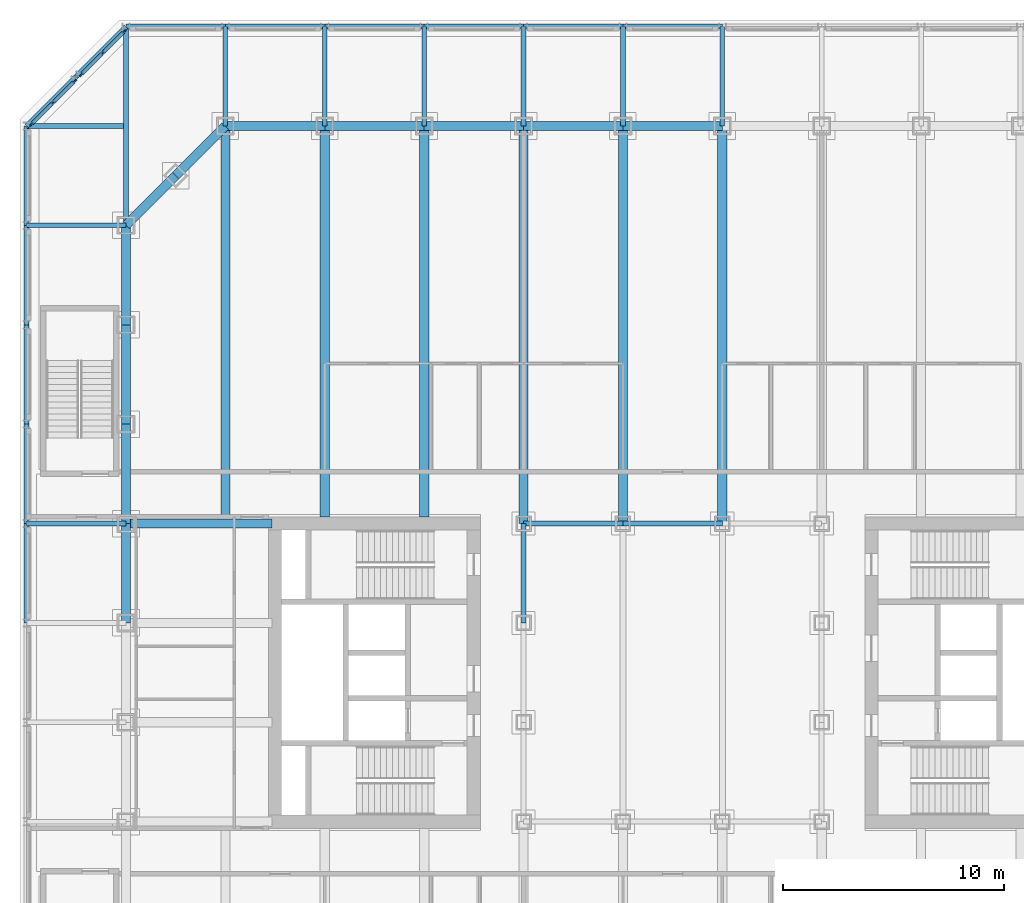
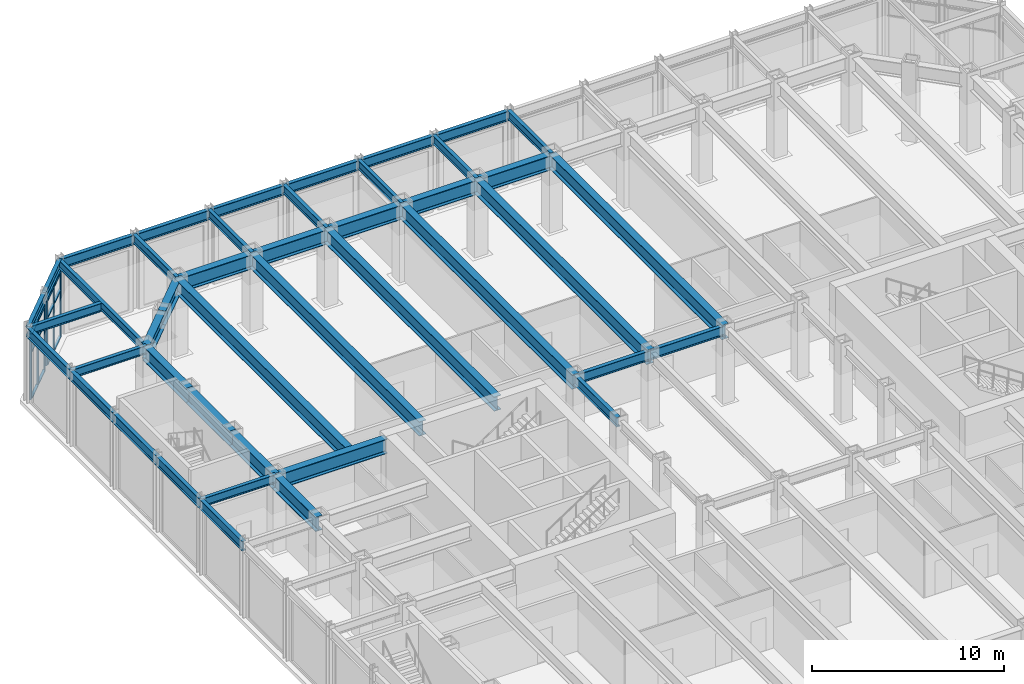
# One storey, part 7 of 19: 44 beams, 18 members, 2 elements without a shape of their own.
"""IFC4 building model written with IfcOpenShell, lengths in metres."""

from ifc_helpers import new_model, si_unit, direction, frame, origin, origin_2d, place, context, subcontext, project, spatial, rectangle, i_section, extrude, material, material_profile, profile_set, type_object, element, aggregate, save


model = new_model("IFC4")

# Units and contexts
model_context = context("Model", 3, precision=1e-05, world=origin(), true_north=direction((0.0, 1.0)))
body_context = subcontext(model_context, "Body", "Model", "MODEL_VIEW")
ifc_project = project(units=[si_unit("LENGTHUNIT", "METRE"), si_unit("AREAUNIT", "SQUARE_METRE"), si_unit("VOLUMEUNIT", "CUBIC_METRE"), si_unit("PLANEANGLEUNIT", "RADIAN"), si_unit("MASSUNIT", "GRAM", prefix="KILO")], contexts=[model_context])

# Site, building, storey
site_placement = place(None, origin())
site = spatial("IfcSite", under=ifc_project, at=site_placement, CompositionType="ELEMENT")
building_placement = place(site_placement, origin())
building = spatial("IfcBuilding", under=site, at=building_placement, Name="Msasa Ring Tower", CompositionType="ELEMENT")
storey_placement = place(building_placement, frame((0.0, 0.0, 6.0)))
storey = spatial("IfcBuildingStorey", under=building, at=storey_placement, Name="L01", CompositionType="ELEMENT", Elevation=6.0)

# Curtain wall, members
ifc_material_1 = material(Name="Aluminium curtain wall with clear glass", Category="aluminium")
curtain_wall_type = type_object("IfcCurtainWallType", Name="CW-K PODIUM CORNER CURTAIN WALL", PredefinedType="NOTDEFINED", material=ifc_material_1)
curtain_wall_1_placement = place(storey_placement, origin())
curtain_wall_1 = element("IfcCurtainWall", 1, at=curtain_wall_1_placement, inside=storey, type_object=curtain_wall_type, Name="Podium corner curtain wall NW L01", PredefinedType="NOTDEFINED")
ifc_material_2 = material(Name="Aluminium mullion", Category="aluminium")
ifc_material_profile_1 = material_profile(ifc_material_2, rectangle(XDim=0.070068359375, YDim=0.199951171875, at=origin_2d()), Name="AL 70x200")
ifc_profile_set_1 = profile_set([ifc_material_profile_1], Name="Aluminium mullion")
member_type_1 = type_object("IfcMemberType", Name="CW-K MULLION 70x200", PredefinedType="MULLION", material=ifc_profile_set_1)
member_1_placement = place(storey_placement, frame((-27.086669921875, 26.77197265625, 0.0), z_axis=(0.0, 0.0, 1.0), x_axis=(0.707106781187, -0.707106781187, 0.0)))
member_1 = element("IfcMember", 2, at=member_1_placement, type_object=member_type_1, Name="CW-K mullion 1", PredefinedType="MULLION", context=body_context, shape_type="SweptSolid", body=[
    extrude(rectangle(XDim=0.070068359375, YDim=0.199951171875, at=origin_2d()), origin(), (0.0, 0.0, 1.0), 4.1328125),
])
member_2_placement = place(storey_placement, frame((-28.05419921875, 25.80419921875, 0.0), z_axis=(0.0, 0.0, 1.0), x_axis=(0.707106781187, -0.707106781187, 0.0)))
member_2 = element("IfcMember", 3, at=member_2_placement, type_object=member_type_1, Name="CW-K mullion 2", PredefinedType="MULLION", context=body_context, shape_type="SweptSolid", body=[
    extrude(rectangle(XDim=0.070068359375, YDim=0.199951171875, at=origin_2d()), origin(), (0.0, 0.0, 1.0), 4.1328125),
])
member_3_placement = place(storey_placement, frame((-29.02197265625, 24.836669921875, 0.0), z_axis=(0.0, 0.0, 1.0), x_axis=(0.707106781187, -0.707106781187, 0.0)))
member_3 = element("IfcMember", 4, at=member_3_placement, type_object=member_type_1, Name="CW-K mullion 3", PredefinedType="MULLION", context=body_context, shape_type="SweptSolid", body=[
    extrude(rectangle(XDim=0.070068359375, YDim=0.199951171875, at=origin_2d()), origin(), (0.0, 0.0, 1.0), 4.1328125),
])

curtain_wall_2_placement = place(storey_placement, origin())
curtain_wall_2 = element("IfcCurtainWall", 5, at=curtain_wall_2_placement, inside=storey, type_object=curtain_wall_type, Name="Podium corner curtain wall NW L01", PredefinedType="NOTDEFINED")
member_4_placement = place(storey_placement, frame((-24.836669921875, 29.02197265625, 0.0), z_axis=(0.0, 0.0, 1.0), x_axis=(0.707106781187, -0.707106781187, 0.0)))
member_4 = element("IfcMember", 6, at=member_4_placement, type_object=member_type_1, Name="CW-K mullion 1", PredefinedType="MULLION", context=body_context, shape_type="SweptSolid", body=[
    extrude(rectangle(XDim=0.070068359375, YDim=0.199951171875, at=origin_2d()), origin(), (0.0, 0.0, 1.0), 4.1328125),
])
member_5_placement = place(storey_placement, frame((-25.80419921875, 28.05419921875, 0.0), z_axis=(0.0, 0.0, 1.0), x_axis=(0.707106781187, -0.707106781187, 0.0)))
member_5 = element("IfcMember", 7, at=member_5_placement, type_object=member_type_1, Name="CW-K mullion 2", PredefinedType="MULLION", context=body_context, shape_type="SweptSolid", body=[
    extrude(rectangle(XDim=0.070068359375, YDim=0.199951171875, at=origin_2d()), origin(), (0.0, 0.0, 1.0), 4.1328125),
])
member_6_placement = place(storey_placement, frame((-26.77197265625, 27.086669921875, 0.0), z_axis=(0.0, 0.0, 1.0), x_axis=(0.707106781187, -0.707106781187, 0.0)))
member_6 = element("IfcMember", 8, at=member_6_placement, type_object=member_type_1, Name="CW-K mullion 3", PredefinedType="MULLION", context=body_context, shape_type="SweptSolid", body=[
    extrude(rectangle(XDim=0.070068359375, YDim=0.199951171875, at=origin_2d()), origin(), (0.0, 0.0, 1.0), 4.1328125),
])

# Member
ifc_material_3 = material(Name="Aluminium transom", Category="aluminium")
ifc_material_profile_2 = material_profile(ifc_material_3, rectangle(XDim=0.14990234375, YDim=0.070068359375, at=origin_2d()), Name="AL 70x150")
ifc_profile_set_2 = profile_set([ifc_material_profile_2], Name="Aluminium transom")
member_type_2 = type_object("IfcMemberType", Name="CW-K TRANSOM 70x150", PredefinedType="USERDEFINED", material=ifc_profile_set_2)
member_7_placement = place(storey_placement, frame((-27.111572265625, 26.7470703125, 0.034912109375), z_axis=(-0.707106781187, -0.707106781187, 0.0), x_axis=(0.707106781187, -0.707106781187, 0.0)))
member_7 = element("IfcMember", 9, at=member_7_placement, type_object=member_type_2, Name="CW-K transom 1.1", ObjectType="TRANSOM", PredefinedType="USERDEFINED", context=body_context, shape_type="SweptSolid", body=[
    extrude(rectangle(XDim=0.14990234375, YDim=0.070068359375, at=origin_2d()), origin(), (0.0, 0.0, 1.0), 1.298095703125),
])

member_8_placement = place(storey_placement, frame((-27.111572265625, 26.7470703125, 3.0), z_axis=(-0.707106781187, -0.707106781187, 0.0), x_axis=(0.707106781187, -0.707106781187, 0.0)))
member_8 = element("IfcMember", 10, at=member_8_placement, type_object=member_type_2, Name="CW-K transom 1.2", ObjectType="TRANSOM", PredefinedType="USERDEFINED", context=body_context, shape_type="SweptSolid", body=[
    extrude(rectangle(XDim=0.14990234375, YDim=0.070068359375, at=origin_2d()), origin(), (0.0, 0.0, 1.0), 1.298095703125),
])

member_9_placement = place(storey_placement, frame((-27.111572265625, 26.7470703125, 4.097900390625), z_axis=(-0.707106781187, -0.707106781187, 0.0), x_axis=(0.707106781187, -0.707106781187, 0.0)))
member_9 = element("IfcMember", 11, at=member_9_placement, type_object=member_type_2, Name="CW-K transom 1.3", ObjectType="TRANSOM", PredefinedType="USERDEFINED", context=body_context, shape_type="SweptSolid", body=[
    extrude(rectangle(XDim=0.14990234375, YDim=0.070068359375, at=origin_2d()), origin(), (0.0, 0.0, 1.0), 1.298095703125),
])

member_10_placement = place(storey_placement, frame((-28.0791015625, 25.779541015625, 0.034912109375), z_axis=(-0.707106781187, -0.707106781187, 0.0), x_axis=(0.707106781187, -0.707106781187, 0.0)))
member_10 = element("IfcMember", 12, at=member_10_placement, type_object=member_type_2, Name="CW-K transom 2.1", ObjectType="TRANSOM", PredefinedType="USERDEFINED", context=body_context, shape_type="SweptSolid", body=[
    extrude(rectangle(XDim=0.14990234375, YDim=0.070068359375, at=origin_2d()), origin(), (0.0, 0.0, 1.0), 1.298095703125),
])

member_11_placement = place(storey_placement, frame((-28.0791015625, 25.779541015625, 3.0), z_axis=(-0.707106781187, -0.707106781187, 0.0), x_axis=(0.707106781187, -0.707106781187, 0.0)))
member_11 = element("IfcMember", 13, at=member_11_placement, type_object=member_type_2, Name="CW-K transom 2.2", ObjectType="TRANSOM", PredefinedType="USERDEFINED", context=body_context, shape_type="SweptSolid", body=[
    extrude(rectangle(XDim=0.14990234375, YDim=0.070068359375, at=origin_2d()), origin(), (0.0, 0.0, 1.0), 1.298095703125),
])

member_12_placement = place(storey_placement, frame((-28.0791015625, 25.779541015625, 4.097900390625), z_axis=(-0.707106781187, -0.707106781187, 0.0), x_axis=(0.707106781187, -0.707106781187, 0.0)))
member_12 = element("IfcMember", 14, at=member_12_placement, type_object=member_type_2, Name="CW-K transom 2.3", ObjectType="TRANSOM", PredefinedType="USERDEFINED", context=body_context, shape_type="SweptSolid", body=[
    extrude(rectangle(XDim=0.14990234375, YDim=0.070068359375, at=origin_2d()), origin(), (0.0, 0.0, 1.0), 1.298095703125),
])

aggregate(curtain_wall_1, [member_1, member_2, member_3, member_7, member_8, member_9, member_10, member_11, member_12])

member_13_placement = place(storey_placement, frame((-24.861572265625, 28.9970703125, 0.034912109375), z_axis=(-0.707106781187, -0.707106781187, 0.0), x_axis=(0.707106781187, -0.707106781187, 0.0)))
member_13 = element("IfcMember", 15, at=member_13_placement, type_object=member_type_2, Name="CW-K transom 1.1", ObjectType="TRANSOM", PredefinedType="USERDEFINED", context=body_context, shape_type="SweptSolid", body=[
    extrude(rectangle(XDim=0.14990234375, YDim=0.070068359375, at=origin_2d()), origin(), (0.0, 0.0, 1.0), 1.298095703125),
])

member_14_placement = place(storey_placement, frame((-24.861572265625, 28.9970703125, 3.0), z_axis=(-0.707106781187, -0.707106781187, 0.0), x_axis=(0.707106781187, -0.707106781187, 0.0)))
member_14 = element("IfcMember", 16, at=member_14_placement, type_object=member_type_2, Name="CW-K transom 1.2", ObjectType="TRANSOM", PredefinedType="USERDEFINED", context=body_context, shape_type="SweptSolid", body=[
    extrude(rectangle(XDim=0.14990234375, YDim=0.070068359375, at=origin_2d()), origin(), (0.0, 0.0, 1.0), 1.298095703125),
])

member_15_placement = place(storey_placement, frame((-24.861572265625, 28.9970703125, 4.097900390625), z_axis=(-0.707106781187, -0.707106781187, 0.0), x_axis=(0.707106781187, -0.707106781187, 0.0)))
member_15 = element("IfcMember", 17, at=member_15_placement, type_object=member_type_2, Name="CW-K transom 1.3", ObjectType="TRANSOM", PredefinedType="USERDEFINED", context=body_context, shape_type="SweptSolid", body=[
    extrude(rectangle(XDim=0.14990234375, YDim=0.070068359375, at=origin_2d()), origin(), (0.0, 0.0, 1.0), 1.298095703125),
])

member_16_placement = place(storey_placement, frame((-25.8291015625, 28.029541015625, 0.034912109375), z_axis=(-0.707106781187, -0.707106781187, 0.0), x_axis=(0.707106781187, -0.707106781187, 0.0)))
member_16 = element("IfcMember", 18, at=member_16_placement, type_object=member_type_2, Name="CW-K transom 2.1", ObjectType="TRANSOM", PredefinedType="USERDEFINED", context=body_context, shape_type="SweptSolid", body=[
    extrude(rectangle(XDim=0.14990234375, YDim=0.070068359375, at=origin_2d()), origin(), (0.0, 0.0, 1.0), 1.298095703125),
])

member_17_placement = place(storey_placement, frame((-25.8291015625, 28.029541015625, 3.0), z_axis=(-0.707106781187, -0.707106781187, 0.0), x_axis=(0.707106781187, -0.707106781187, 0.0)))
member_17 = element("IfcMember", 19, at=member_17_placement, type_object=member_type_2, Name="CW-K transom 2.2", ObjectType="TRANSOM", PredefinedType="USERDEFINED", context=body_context, shape_type="SweptSolid", body=[
    extrude(rectangle(XDim=0.14990234375, YDim=0.070068359375, at=origin_2d()), origin(), (0.0, 0.0, 1.0), 1.298095703125),
])

member_18_placement = place(storey_placement, frame((-25.8291015625, 28.029541015625, 4.097900390625), z_axis=(-0.707106781187, -0.707106781187, 0.0), x_axis=(0.707106781187, -0.707106781187, 0.0)))
member_18 = element("IfcMember", 20, at=member_18_placement, type_object=member_type_2, Name="CW-K transom 2.3", ObjectType="TRANSOM", PredefinedType="USERDEFINED", context=body_context, shape_type="SweptSolid", body=[
    extrude(rectangle(XDim=0.14990234375, YDim=0.070068359375, at=origin_2d()), origin(), (0.0, 0.0, 1.0), 1.298095703125),
])

aggregate(curtain_wall_2, [member_4, member_5, member_6, member_13, member_14, member_15, member_16, member_17, member_18])

# Beams
ifc_material_4 = material(Name="Steel S355", Category="steel")
ifc_material_profile_3 = material_profile(ifc_material_4, i_section(OverallWidth=0.41845703125, OverallDepth=0.911865234375, WebThickness=0.019287109375, FlangeThickness=0.031982421875, FilletRadius=0.024169921875, at=origin_2d()), Name="UB 914x419x343")
ifc_profile_set_3 = profile_set([ifc_material_profile_3], Name="Steel S355")
beam_type_1 = type_object("IfcBeamType", Name="FB1 UB 914x419x343", PredefinedType="BEAM", material=ifc_profile_set_3)
beam_1_placement = place(storey_placement, frame((-20.25, 24.75, 4.294189453125), z_axis=(0.0, -1.0, 0.0), x_axis=(1.0, 0.0, 0.0)))
element("IfcBeam", 21, at=beam_1_placement, inside=storey, type_object=beam_type_1, Name="Floor beam N-20.25 under L02", PredefinedType="BEAM", context=body_context, shape_type="SweptSolid", body=[
    extrude(i_section(OverallWidth=0.41845703125, OverallDepth=0.911865234375, WebThickness=0.019287109375, FlangeThickness=0.031982421875, FilletRadius=0.024169921875, at=origin_2d()), origin(), (0.0, 0.0, 1.0), 17.789794921875),
])
for number, where, z_axis, x_axis, name in (
    (22, (-15.75, 24.75, 4.294189453125), (0.0, -1.0, 0.0), (1.0, 0.0, 0.0), "Floor beam N-15.75 under L02"),
    (23, (-11.25, 24.75, 4.294189453125), (0.0, -1.0, 0.0), (1.0, 0.0, 0.0), "Floor beam N-11.25 under L02"),
):
    element("IfcBeam", number, at=place(storey_placement, frame(where, z_axis=z_axis, x_axis=x_axis)), inside=storey, type_object=beam_type_1, Name=name, PredefinedType="BEAM", context=body_context, shape_type="SweptSolid", body=[
        extrude(i_section(OverallWidth=0.41845703125, OverallDepth=0.911865234375, WebThickness=0.019287109375, FlangeThickness=0.031982421875, FilletRadius=0.024169921875, at=origin_2d()), origin(), (0.0, 0.0, 1.0), 17.699951171875),
    ])
for number, where, z_axis, x_axis, name in (
    (24, (-6.75, 24.75, 4.294189453125), (0.0, -1.0, 0.0), (1.0, 0.0, 0.0), "Floor beam N-6.75 under L02"),
    (25, (-2.25, 24.75, 4.294189453125), (0.0, -1.0, 0.0), (1.0, 0.0, 0.0), "Floor beam N-2.25 under L02"),
    (26, (2.25, 24.75, 4.294189453125), (0.0, -1.0, 0.0), (1.0, 0.0, 0.0), "Floor beam N+2.25 under L02"),
):
    element("IfcBeam", number, at=place(storey_placement, frame(where, z_axis=z_axis, x_axis=x_axis)), inside=storey, type_object=beam_type_1, Name=name, PredefinedType="BEAM", context=body_context, shape_type="SweptSolid", body=[
        extrude(i_section(OverallWidth=0.41845703125, OverallDepth=0.911865234375, WebThickness=0.019287109375, FlangeThickness=0.031982421875, FilletRadius=0.024169921875, at=origin_2d()), origin(), (0.0, 0.0, 1.0), 18.0),
    ])
ifc_material_5 = material(Name="Steel S355", Category="steel")
ifc_material_profile_4 = material_profile(ifc_material_5, i_section(OverallWidth=0.42041015625, OverallDepth=0.9208984375, WebThickness=0.021484375, FlangeThickness=0.03662109375, FilletRadius=0.024169921875, at=origin_2d()), Name="UB 914x419x388")
ifc_profile_set_4 = profile_set([ifc_material_profile_4], Name="Steel S355")
beam_type_2 = type_object("IfcBeamType", Name="GB1 UB 914x419x388", PredefinedType="BEAM", material=ifc_profile_set_4)
beam_2_placement = place(storey_placement, frame((-18.14990234375, 6.75, 4.28955078125), z_axis=(-1.0, 0.0, 0.0), x_axis=(0.0, -1.0, 0.0)))
element("IfcBeam", 27, at=beam_2_placement, inside=storey, type_object=beam_type_2, Name="Girder W +6.75 under L02", PredefinedType="BEAM", context=body_context, shape_type="SweptSolid", body=[
    extrude(i_section(OverallWidth=0.42041015625, OverallDepth=0.9208984375, WebThickness=0.021484375, FlangeThickness=0.03662109375, FilletRadius=0.024169921875, at=origin_2d()), origin(), (0.0, 0.0, 1.0), 6.60009765625),
])
ifc_material_6 = material(Name="Steel S355", Category="steel")
ifc_material_profile_5 = material_profile(ifc_material_6, i_section(OverallWidth=0.2119140625, OverallDepth=0.54443359375, WebThickness=0.0126953125, FlangeThickness=0.021240234375, FilletRadius=0.0126953125, at=origin_2d()), Name="UB 533x210x122")
ifc_profile_set_5 = profile_set([ifc_material_profile_5], Name="Steel S355")
beam_type_3 = type_object("IfcBeamType", Name="PB1 UB 533x210x122", PredefinedType="BEAM", material=ifc_profile_set_5)
beam_3_placement = place(storey_placement, frame((-24.75, 29.25, 4.477783203125), z_axis=(0.0, -1.0, 0.0), x_axis=(1.0, 0.0, 0.0)))
element("IfcBeam", 28, at=beam_3_placement, inside=storey, type_object=beam_type_3, Name="Podium beam N-24.75 under L02", PredefinedType="BEAM", context=body_context, shape_type="SweptSolid", body=[
    extrude(i_section(OverallWidth=0.2119140625, OverallDepth=0.54443359375, WebThickness=0.0126953125, FlangeThickness=0.021240234375, FilletRadius=0.0126953125, at=origin_2d()), origin(), (0.0, 0.0, 1.0), 9.0),
])
for number, where, z_axis, x_axis, name in (
    (29, (-20.25, 29.25, 4.477783203125), (0.0, -1.0, 0.0), (1.0, 0.0, 0.0), "Podium beam N-20.25 under L02"),
    (30, (-15.75, 29.25, 4.477783203125), (0.0, -1.0, 0.0), (1.0, 0.0, 0.0), "Podium beam N-15.75 under L02"),
    (31, (-11.25, 29.25, 4.477783203125), (0.0, -1.0, 0.0), (1.0, 0.0, 0.0), "Podium beam N-11.25 under L02"),
    (32, (-6.75, 29.25, 4.477783203125), (0.0, -1.0, 0.0), (1.0, 0.0, 0.0), "Podium beam N-6.75 under L02"),
    (33, (-2.25, 29.25, 4.477783203125), (0.0, -1.0, 0.0), (1.0, 0.0, 0.0), "Podium beam N-2.25 under L02"),
    (34, (2.25, 29.25, 4.477783203125), (0.0, -1.0, 0.0), (1.0, 0.0, 0.0), "Podium beam N+2.25 under L02"),
    (35, (-29.25, 6.75, 4.477783203125), (1.0, 0.0, 0.0), (0.0, 1.0, 0.0), "Podium beam W+6.75 under L02"),
    (36, (-29.25, 20.25, 4.477783203125), (1.0, 0.0, 0.0), (0.0, 1.0, 0.0), "Podium beam W+20.25 under L02"),
):
    element("IfcBeam", number, at=place(storey_placement, frame(where, z_axis=z_axis, x_axis=x_axis)), inside=storey, type_object=beam_type_3, Name=name, PredefinedType="BEAM", context=body_context, shape_type="SweptSolid", body=[
        extrude(i_section(OverallWidth=0.2119140625, OverallDepth=0.54443359375, WebThickness=0.0126953125, FlangeThickness=0.021240234375, FilletRadius=0.0126953125, at=origin_2d()), origin(), (0.0, 0.0, 1.0), 4.5),
    ])
beam_4_placement = place(storey_placement, frame((-29.25, 24.75, 4.477783203125), z_axis=(1.0, 0.0, 0.0), x_axis=(0.0, 1.0, 0.0)))
element("IfcBeam", 37, at=beam_4_placement, inside=storey, type_object=beam_type_3, Name="Podium beam W+24.75 under L02", PredefinedType="BEAM", context=body_context, shape_type="SweptSolid", body=[
    extrude(i_section(OverallWidth=0.2119140625, OverallDepth=0.54443359375, WebThickness=0.0126953125, FlangeThickness=0.021240234375, FilletRadius=0.0126953125, at=origin_2d()), origin(), (0.0, 0.0, 1.0), 4.39404296875),
])
ifc_material_7 = material(Name="Steel S355", Category="steel")
ifc_material_profile_6 = material_profile(ifc_material_7, i_section(OverallWidth=0.230224609375, OverallDepth=0.6171875, WebThickness=0.01318359375, FlangeThickness=0.022216796875, FilletRadius=0.0126953125, at=origin_2d()), Name="UB 610x229x140")
ifc_profile_set_6 = profile_set([ifc_material_profile_6], Name="Steel S355")
beam_type_4 = type_object("IfcBeamType", Name="RB1 UB 610x229x140", PredefinedType="BEAM", material=ifc_profile_set_6)
for number, where, z_axis, x_axis, name in (
    (38, (2.25, 6.75, 4.44140625), (-1.0, 0.0, 0.0), (0.0, -1.0, 0.0), "Inner ring beam IR+2.25+6.75 under L02"),
    (39, (-2.25, 6.75, 4.44140625), (-1.0, 0.0, 0.0), (0.0, -1.0, 0.0), "Inner ring beam IR-2.25+6.75 under L02"),
    (40, (-6.75, 6.75, 4.44140625), (0.0, -1.0, 0.0), (1.0, 0.0, 0.0), "Inner ring beam IR-6.75+6.75 under L02"),
):
    element("IfcBeam", number, at=place(storey_placement, frame(where, z_axis=z_axis, x_axis=x_axis)), inside=storey, type_object=beam_type_4, Name=name, PredefinedType="BEAM", context=body_context, shape_type="SweptSolid", body=[
        extrude(i_section(OverallWidth=0.230224609375, OverallDepth=0.6171875, WebThickness=0.01318359375, FlangeThickness=0.022216796875, FilletRadius=0.0126953125, at=origin_2d()), origin(), (0.0, 0.0, 1.0), 4.5),
    ])
ifc_material_8 = material(Name="Steel S355", Category="steel")
ifc_material_profile_7 = material_profile(ifc_material_8, i_section(OverallWidth=0.42041015625, OverallDepth=0.9208984375, WebThickness=0.021484375, FlangeThickness=0.03662109375, FilletRadius=0.024169921875, at=origin_2d()), Name="UB 914x419x388")
ifc_profile_set_7 = profile_set([ifc_material_profile_7], Name="Steel S355")
beam_type_5 = type_object("IfcBeamType", Name="SB1 UB 914x419x388", PredefinedType="SPANDREL", material=ifc_profile_set_7)
for number, where, z_axis, x_axis, name in (
    (41, (2.25, 24.75, 4.28955078125), (-1.0, 0.0, 0.0), (0.0, -1.0, 0.0), "Spandrel N+2.25 to N-2.25 under L02"),
    (42, (-2.25, 24.75, 4.28955078125), (-1.0, 0.0, 0.0), (0.0, -1.0, 0.0), "Spandrel N-2.25 to N-6.75 under L02"),
    (43, (-6.75, 24.75, 4.28955078125), (-1.0, 0.0, 0.0), (0.0, -1.0, 0.0), "Spandrel N-6.75 to N-11.25 under L02"),
    (44, (-11.25, 24.75, 4.28955078125), (-1.0, 0.0, 0.0), (0.0, -1.0, 0.0), "Spandrel N-11.25 to N-15.75 under L02"),
    (45, (-15.75, 24.75, 4.28955078125), (-1.0, 0.0, 0.0), (0.0, -1.0, 0.0), "Spandrel N-15.75 to N-20.25 under L02"),
):
    element("IfcBeam", number, at=place(storey_placement, frame(where, z_axis=z_axis, x_axis=x_axis)), inside=storey, type_object=beam_type_5, Name=name, PredefinedType="SPANDREL", context=body_context, shape_type="SweptSolid", body=[
        extrude(i_section(OverallWidth=0.42041015625, OverallDepth=0.9208984375, WebThickness=0.021484375, FlangeThickness=0.03662109375, FilletRadius=0.024169921875, at=origin_2d()), origin(), (0.0, 0.0, 1.0), 4.5),
    ])
for number, where, z_axis, x_axis, name in (
    (46, (-20.25, 24.75, 4.28955078125), (-0.707106781187, -0.707106781187, 0.0), (0.707106781187, -0.707106781187, 0.0), "Spandrel N-20.25 to NW under L02"),
    (47, (-22.5, 22.5, 4.28955078125), (-0.707106781187, -0.707106781187, 0.0), (0.707106781187, -0.707106781187, 0.0), "Spandrel NW to W+20.25 under L02"),
):
    element("IfcBeam", number, at=place(storey_placement, frame(where, z_axis=z_axis, x_axis=x_axis)), inside=storey, type_object=beam_type_5, Name=name, PredefinedType="SPANDREL", context=body_context, shape_type="SweptSolid", body=[
        extrude(i_section(OverallWidth=0.42041015625, OverallDepth=0.9208984375, WebThickness=0.021484375, FlangeThickness=0.03662109375, FilletRadius=0.024169921875, at=origin_2d()), origin(), (0.0, 0.0, 1.0), 3.181884765625),
    ])
for number, where, z_axis, x_axis, name in (
    (48, (-24.75, 20.25, 4.28955078125), (0.0, -1.0, 0.0), (1.0, 0.0, 0.0), "Spandrel W+20.25 to W+15.75 under L02"),
    (49, (-24.75, 15.75, 4.28955078125), (0.0, -1.0, 0.0), (1.0, 0.0, 0.0), "Spandrel W+15.75 to W+11.25 under L02"),
    (50, (-24.75, 11.25, 4.28955078125), (0.0, -1.0, 0.0), (1.0, 0.0, 0.0), "Spandrel W+11.25 to W+6.75 under L02"),
    (51, (-24.75, 6.75, 4.28955078125), (0.0, -1.0, 0.0), (1.0, 0.0, 0.0), "Spandrel W+6.75 to W+2.25 under L02"),
):
    element("IfcBeam", number, at=place(storey_placement, frame(where, z_axis=z_axis, x_axis=x_axis)), inside=storey, type_object=beam_type_5, Name=name, PredefinedType="SPANDREL", context=body_context, shape_type="SweptSolid", body=[
        extrude(i_section(OverallWidth=0.42041015625, OverallDepth=0.9208984375, WebThickness=0.021484375, FlangeThickness=0.03662109375, FilletRadius=0.024169921875, at=origin_2d()), origin(), (0.0, 0.0, 1.0), 4.5),
    ])
ifc_material_9 = material(Name="Steel S355", Category="steel")
ifc_material_profile_8 = material_profile(ifc_material_9, i_section(OverallWidth=0.230224609375, OverallDepth=0.6171875, WebThickness=0.01318359375, FlangeThickness=0.022216796875, FilletRadius=0.0126953125, at=origin_2d()), Name="UB 610x229x140")
ifc_profile_set_8 = profile_set([ifc_material_profile_8], Name="Steel S355")
beam_type_6 = type_object("IfcBeamType", Name="SB2 UB 610x229x140", PredefinedType="SPANDREL", material=ifc_profile_set_8)
for number, where, z_axis, x_axis, name in (
    (52, (2.25, 29.25, 4.44140625), (-1.0, 0.0, 0.0), (0.0, -1.0, 0.0), "Podium spandrel N+2.25 under L02"),
    (53, (-2.25, 29.25, 4.44140625), (-1.0, 0.0, 0.0), (0.0, -1.0, 0.0), "Podium spandrel N-2.25 under L02"),
    (54, (-6.75, 29.25, 4.44140625), (-1.0, 0.0, 0.0), (0.0, -1.0, 0.0), "Podium spandrel N-6.75 under L02"),
    (55, (-11.25, 29.25, 4.44140625), (-1.0, 0.0, 0.0), (0.0, -1.0, 0.0), "Podium spandrel N-11.25 under L02"),
    (56, (-15.75, 29.25, 4.44140625), (-1.0, 0.0, 0.0), (0.0, -1.0, 0.0), "Podium spandrel N-15.75 under L02"),
    (57, (-20.25, 29.25, 4.44140625), (-1.0, 0.0, 0.0), (0.0, -1.0, 0.0), "Podium spandrel N-20.25 under L02"),
):
    element("IfcBeam", number, at=place(storey_placement, frame(where, z_axis=z_axis, x_axis=x_axis)), inside=storey, type_object=beam_type_6, Name=name, PredefinedType="SPANDREL", context=body_context, shape_type="SweptSolid", body=[
        extrude(i_section(OverallWidth=0.230224609375, OverallDepth=0.6171875, WebThickness=0.01318359375, FlangeThickness=0.022216796875, FilletRadius=0.0126953125, at=origin_2d()), origin(), (0.0, 0.0, 1.0), 4.5),
    ])
for number, where, z_axis, x_axis, name in (
    (58, (-24.75, 29.25, 4.44140625), (-0.707106781187, -0.707106781187, 0.0), (0.707106781187, -0.707106781187, 0.0), "Podium spandrel N-24.75 under L02"),
    (59, (-27.0, 27.0, 4.44140625), (-0.707106781187, -0.707106781187, 0.0), (0.707106781187, -0.707106781187, 0.0), "Podium spandrel NW under L02"),
):
    element("IfcBeam", number, at=place(storey_placement, frame(where, z_axis=z_axis, x_axis=x_axis)), inside=storey, type_object=beam_type_6, Name=name, PredefinedType="SPANDREL", context=body_context, shape_type="SweptSolid", body=[
        extrude(i_section(OverallWidth=0.230224609375, OverallDepth=0.6171875, WebThickness=0.01318359375, FlangeThickness=0.022216796875, FilletRadius=0.0126953125, at=origin_2d()), origin(), (0.0, 0.0, 1.0), 3.181884765625),
    ])
for number, where, z_axis, x_axis, name in (
    (60, (-29.25, 24.75, 4.44140625), (0.0, -1.0, 0.0), (1.0, 0.0, 0.0), "Podium spandrel W+24.75 under L02"),
    (61, (-29.25, 20.25, 4.44140625), (0.0, -1.0, 0.0), (1.0, 0.0, 0.0), "Podium spandrel W+20.25 under L02"),
    (62, (-29.25, 15.75, 4.44140625), (0.0, -1.0, 0.0), (1.0, 0.0, 0.0), "Podium spandrel W+15.75 under L02"),
    (63, (-29.25, 11.25, 4.44140625), (0.0, -1.0, 0.0), (1.0, 0.0, 0.0), "Podium spandrel W+11.25 under L02"),
    (64, (-29.25, 6.75, 4.44140625), (0.0, -1.0, 0.0), (1.0, 0.0, 0.0), "Podium spandrel W+6.75 under L02"),
):
    element("IfcBeam", number, at=place(storey_placement, frame(where, z_axis=z_axis, x_axis=x_axis)), inside=storey, type_object=beam_type_6, Name=name, PredefinedType="SPANDREL", context=body_context, shape_type="SweptSolid", body=[
        extrude(i_section(OverallWidth=0.230224609375, OverallDepth=0.6171875, WebThickness=0.01318359375, FlangeThickness=0.022216796875, FilletRadius=0.0126953125, at=origin_2d()), origin(), (0.0, 0.0, 1.0), 4.5),
    ])

save(model, "model.ifc")
